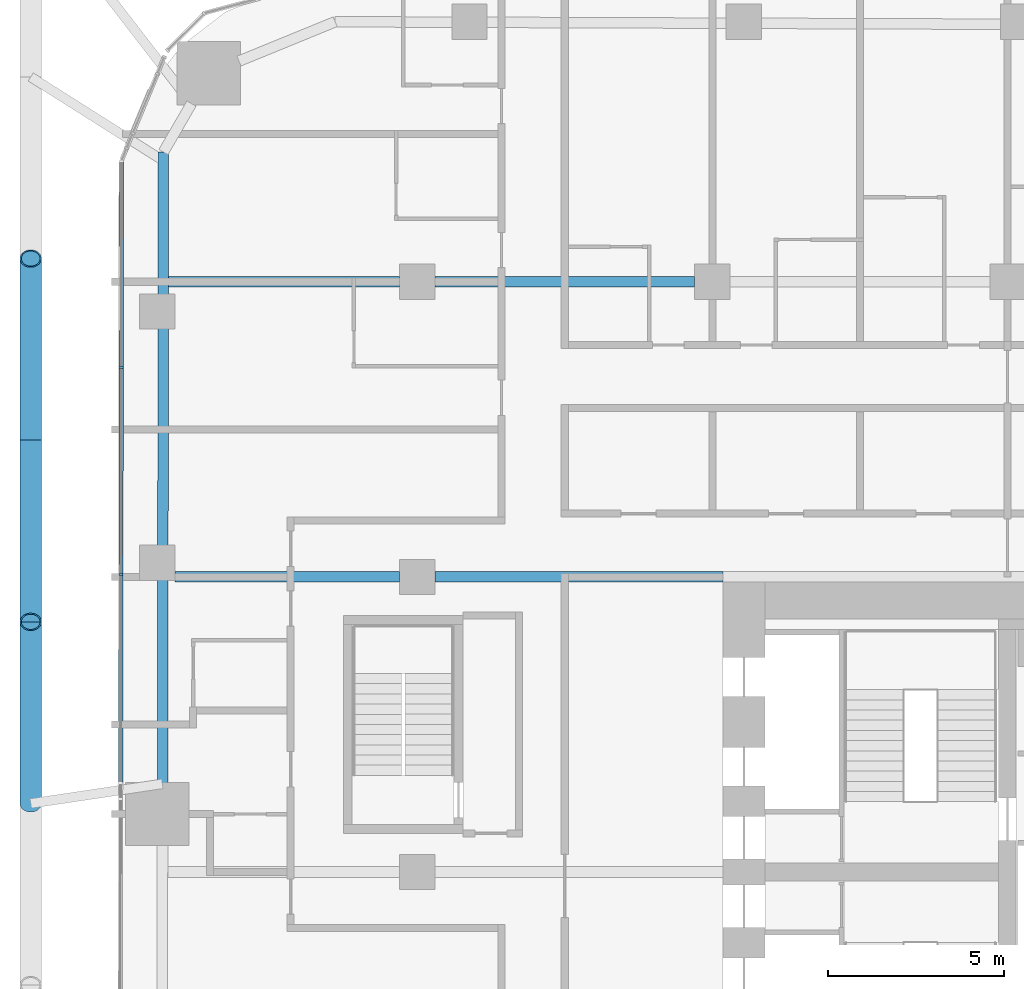
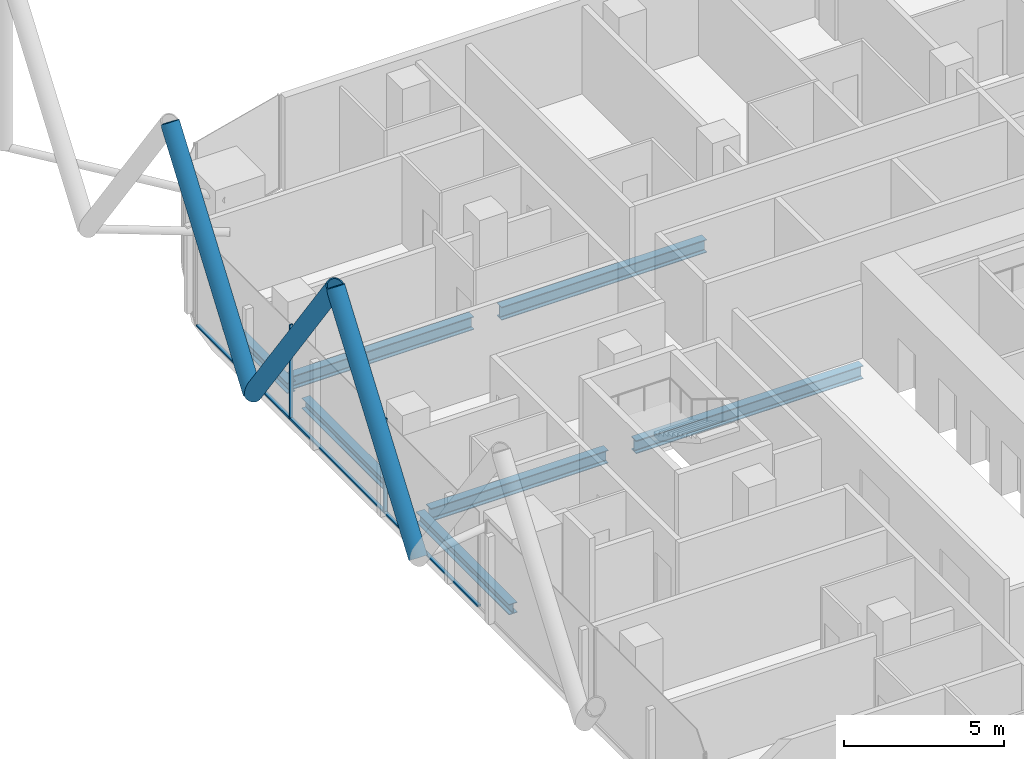
# One storey, part 9 of 38: 8 members, 7 beams, 1 element without a shape of its own.
"""IFC4 building model written with IfcOpenShell, lengths in metres."""

from ifc_helpers import new_model, si_unit, direction, frame, origin, origin_2d, place, context, subcontext, project, spatial, rectangle, hollow_circle, i_section, extrude, material, layer, layer_set, material_profile, profile_set, type_object, element, aggregate, save


model = new_model("IFC4")

# Units and contexts
model_context = context("Model", 3, precision=1e-05, world=origin(), true_north=direction((0.0, 1.0)))
body_context = subcontext(model_context, "Body", "Model", "MODEL_VIEW")
ifc_project = project(units=[si_unit("LENGTHUNIT", "METRE"), si_unit("AREAUNIT", "SQUARE_METRE"), si_unit("VOLUMEUNIT", "CUBIC_METRE"), si_unit("PLANEANGLEUNIT", "RADIAN"), si_unit("MASSUNIT", "GRAM", prefix="KILO")], contexts=[model_context])

# Site, building, storey
site_placement = place(None, origin())
site = spatial("IfcSite", under=ifc_project, at=site_placement, CompositionType="ELEMENT")
building_placement = place(site_placement, origin())
building = spatial("IfcBuilding", under=site, at=building_placement, Name="Marenta Gate Hotel Tower", CompositionType="ELEMENT")
storey_placement = place(building_placement, frame((0.0, 0.0, 54.5)))
storey = spatial("IfcBuildingStorey", under=building, at=storey_placement, Name="L11", CompositionType="ELEMENT", Elevation=54.5)

# Members
ifc_material_1 = material(Name="Steel S355J2W", Category="steel")
ifc_material_profile_1 = material_profile(ifc_material_1, hollow_circle(Radius=0.304931640625, WallThickness=0.0400390625, at=origin_2d()), Name="CHS 610x40")
ifc_profile_set_1 = profile_set([ifc_material_profile_1], Name="Steel S355J2W")
member_type_1 = type_object("IfcMemberType", Name="Diagrid diagonal Z1 CHS 610x40", PredefinedType="BRACE", material=ifc_profile_set_1)
member_1_placement = place(storey_placement, frame((-32.0, 10.349853515625, 3.139892578125), z_axis=(0.0, 0.583265964901, 0.81228124082), x_axis=(-1.0, 0.0, 0.0)))
element("IfcMember", 1, at=member_1_placement, inside=storey, type_object=member_type_1, Name="L11-DG-30", PredefinedType="BRACE", context=body_context, shape_type="SweptSolid", body=[
    extrude(hollow_circle(Radius=0.304931640625, WallThickness=0.0400390625, at=origin_2d()), origin(), (0.0, 0.0, 1.0), 8.8642578125),
])
member_2_placement = place(storey_placement, frame((-32.0, 20.68994140625, 3.139892578125), z_axis=(0.0, -0.583247791947, 0.812294289767), x_axis=(1.0, 0.0, 0.0)))
element("IfcMember", 2, at=member_2_placement, inside=storey, type_object=member_type_1, Name="L11-DG-31", PredefinedType="BRACE", context=body_context, shape_type="SweptSolid", body=[
    extrude(hollow_circle(Radius=0.304931640625, WallThickness=0.0400390625, at=origin_2d()), origin(), (0.0, 0.0, 1.0), 8.864013671875),
])
member_3_placement = place(storey_placement, frame((-32.0, 20.68994140625, 3.139892578125), z_axis=(0.0, 0.583265964901, 0.81228124082), x_axis=(-1.0, 0.0, 0.0)))
element("IfcMember", 3, at=member_3_placement, inside=storey, type_object=member_type_1, Name="L11-DG-32", PredefinedType="BRACE", context=body_context, shape_type="SweptSolid", body=[
    extrude(hollow_circle(Radius=0.304931640625, WallThickness=0.0400390625, at=origin_2d()), origin(), (0.0, 0.0, 1.0), 8.8642578125),
])

# Beams
ifc_material_2 = material(Name="Steel S355", Category="steel")
ifc_material_profile_2 = material_profile(ifc_material_2, i_section(OverallWidth=0.300048828125, OverallDepth=0.39990234375, WebThickness=0.013427734375, FlangeThickness=0.02392578125, FilletRadius=0.027099609375, at=origin_2d()), Name="HEB 400")
ifc_profile_set_2 = profile_set([ifc_material_profile_2], Name="Steel S355")
beam_type_1 = type_object("IfcBeamType", Name="Edge beam HEB 400", PredefinedType="SPANDREL", material=ifc_profile_set_2)
beam_1_placement = place(storey_placement, frame((-28.246337890625, 10.909912109375, -0.4599609375), z_axis=(0.001423009483, 0.999998987521, 0.0), x_axis=(-0.999998987521, 0.001423009483, 0.0)))
element("IfcBeam", 4, at=beam_1_placement, inside=storey, type_object=beam_type_1, Name="L11-EB-8", PredefinedType="SPANDREL", context=body_context, shape_type="SweptSolid", body=[
    extrude(i_section(OverallWidth=0.300048828125, OverallDepth=0.39990234375, WebThickness=0.013427734375, FlangeThickness=0.02392578125, FilletRadius=0.027099609375, at=origin_2d()), origin(), (0.0, 0.0, 1.0), 5.833251953125),
])
beam_2_placement = place(storey_placement, frame((-28.23681640625, 17.6630859375, -0.4599609375), z_axis=(0.001370827476, 0.999999060416, 0.0), x_axis=(-0.999999060416, 0.001370827476, 0.0)))
element("IfcBeam", 5, at=beam_2_placement, inside=storey, type_object=beam_type_1, Name="L11-EB-9", PredefinedType="SPANDREL", context=body_context, shape_type="SweptSolid", body=[
    extrude(i_section(OverallWidth=0.300048828125, OverallDepth=0.39990234375, WebThickness=0.013427734375, FlangeThickness=0.02392578125, FilletRadius=0.027099609375, at=origin_2d()), origin(), (0.0, 0.0, 1.0), 6.2333984375),
])
beam_3_placement = place(storey_placement, frame((-28.22705078125, 24.81640625, -0.4599609375), z_axis=(0.001377821732, 0.999999050803, 0.0), x_axis=(-0.999999050803, 0.001377821732, 0.0)))
element("IfcBeam", 6, at=beam_3_placement, inside=storey, type_object=beam_type_1, Name="L11-EB-10", PredefinedType="SPANDREL", context=body_context, shape_type="SweptSolid", body=[
    extrude(i_section(OverallWidth=0.300048828125, OverallDepth=0.39990234375, WebThickness=0.013427734375, FlangeThickness=0.02392578125, FilletRadius=0.027099609375, at=origin_2d()), origin(), (0.0, 0.0, 1.0), 4.075439453125),
])
ifc_material_3 = material(Name="Steel S355", Category="steel")
ifc_material_profile_3 = material_profile(ifc_material_3, i_section(OverallWidth=0.300048828125, OverallDepth=0.5, WebThickness=0.014404296875, FlangeThickness=0.028076171875, FilletRadius=0.027099609375, at=origin_2d()), Name="HEB 500")
ifc_profile_set_3 = profile_set([ifc_material_profile_3], Name="Steel S355")
beam_type_2 = type_object("IfcBeamType", Name="Girder HEB 500", PredefinedType="BEAM", material=ifc_profile_set_3)
beam_4_placement = place(storey_placement, frame((-27.89990234375, 16.800048828125, -0.510009765625), z_axis=(1.0, 0.0, 0.0), x_axis=(0.0, 1.0, 0.0)))
element("IfcBeam", 7, at=beam_4_placement, inside=storey, type_object=beam_type_2, Name="L11-GD-17", PredefinedType="BEAM", context=body_context, shape_type="SweptSolid", body=[
    extrude(i_section(OverallWidth=0.300048828125, OverallDepth=0.5, WebThickness=0.014404296875, FlangeThickness=0.028076171875, FilletRadius=0.027099609375, at=origin_2d()), origin(), (0.0, 0.0, 1.0), 6.39990234375),
])
beam_5_placement = place(storey_placement, frame((-20.5, 16.800048828125, -0.510009765625), z_axis=(1.0, 0.0, 0.0), x_axis=(0.0, 1.0, 0.0)))
element("IfcBeam", 8, at=beam_5_placement, inside=storey, type_object=beam_type_2, Name="L11-GD-18", PredefinedType="BEAM", context=body_context, shape_type="SweptSolid", body=[
    extrude(i_section(OverallWidth=0.300048828125, OverallDepth=0.5, WebThickness=0.014404296875, FlangeThickness=0.028076171875, FilletRadius=0.027099609375, at=origin_2d()), origin(), (0.0, 0.0, 1.0), 8.199951171875),
])
beam_6_placement = place(storey_placement, frame((-28.076416015625, 25.199951171875, -0.510009765625), z_axis=(1.0, 0.0, 0.0), x_axis=(0.0, 1.0, 0.0)))
element("IfcBeam", 9, at=beam_6_placement, inside=storey, type_object=beam_type_2, Name="L11-GD-22", PredefinedType="BEAM", context=body_context, shape_type="SweptSolid", body=[
    extrude(i_section(OverallWidth=0.300048828125, OverallDepth=0.5, WebThickness=0.014404296875, FlangeThickness=0.028076171875, FilletRadius=0.027099609375, at=origin_2d()), origin(), (0.0, 0.0, 1.0), 6.576416015625),
])
beam_7_placement = place(storey_placement, frame((-20.5, 25.199951171875, -0.510009765625), z_axis=(1.0, 0.0, 0.0), x_axis=(0.0, 1.0, 0.0)))
element("IfcBeam", 10, at=beam_7_placement, inside=storey, type_object=beam_type_2, Name="L11-GD-23", PredefinedType="BEAM", context=body_context, shape_type="SweptSolid", body=[
    extrude(i_section(OverallWidth=0.300048828125, OverallDepth=0.5, WebThickness=0.014404296875, FlangeThickness=0.028076171875, FilletRadius=0.027099609375, at=origin_2d()), origin(), (0.0, 0.0, 1.0), 7.39990234375),
])

# Curtain wall, members
ifc_material_4 = material(Name="Tinted insulated glass in bronze anodised frame", Category="glass")
ifc_layer = layer(ifc_material_4, 0.1201171875)
ifc_layer_set = layer_set([ifc_layer], Name="Tinted insulated glass in bronze anodised frame")
curtain_wall_type = type_object("IfcCurtainWallType", Name="Tower unitised curtain wall CW1", PredefinedType="NOTDEFINED", material=ifc_layer_set)
curtain_wall_placement = place(storey_placement, origin())
curtain_wall = element("IfcCurtainWall", 11, at=curtain_wall_placement, inside=storey, type_object=curtain_wall_type, Name="CW1 run G06", PredefinedType="NOTDEFINED")
ifc_material_5 = material(Name="Bronze anodised aluminium", Category="aluminium")
ifc_material_profile_4 = material_profile(ifc_material_5, rectangle(XDim=0.1201171875, YDim=0.06005859375, at=origin_2d()), Name="Mullion CW1 60x120 bronze anodised aluminium")
ifc_profile_set_4 = profile_set([ifc_material_profile_4], Name="Bronze anodised aluminium")
member_type_2 = type_object("IfcMemberType", Name="Mullion CW1 60x120 bronze anodised aluminium", PredefinedType="MULLION", material=ifc_profile_set_4)
member_4_placement = place(storey_placement, frame((-29.421630859375, 22.764404296875, 0.0), z_axis=(0.0, 0.0, 1.0), x_axis=(0.999998767315, -0.001570149369, 0.0)))
member_4 = element("IfcMember", 12, at=member_4_placement, type_object=member_type_2, Name="CW1 mullion 2", PredefinedType="MULLION", context=body_context, shape_type="SweptSolid", body=[
    extrude(rectangle(XDim=0.1201171875, YDim=0.06005859375, at=origin_2d()), origin(), (0.0, 0.0, 1.0), 3.60009765625),
])
member_5_placement = place(storey_placement, frame((-29.430908203125, 16.862548828125, 0.0), z_axis=(0.0, 0.0, 1.0), x_axis=(0.999998767315, -0.001570149369, 0.0)))
member_5 = element("IfcMember", 13, at=member_5_placement, type_object=member_type_2, Name="CW1 mullion 3", PredefinedType="MULLION", context=body_context, shape_type="SweptSolid", body=[
    extrude(rectangle(XDim=0.1201171875, YDim=0.06005859375, at=origin_2d()), origin(), (0.0, 0.0, 1.0), 3.60009765625),
])
ifc_material_6 = material(Name="Bronze anodised aluminium", Category="aluminium")
ifc_material_profile_5 = material_profile(ifc_material_6, rectangle(XDim=0.1201171875, YDim=0.06005859375, at=origin_2d()), Name="Transom CW1 60x120 bronze anodised aluminium")
ifc_profile_set_5 = profile_set([ifc_material_profile_5], Name="Bronze anodised aluminium")
member_type_3 = type_object("IfcMemberType", Name="Transom CW1 60x120 bronze anodised aluminium", PredefinedType="USERDEFINED", material=ifc_profile_set_5)
member_6_placement = place(storey_placement, frame((-29.412353515625, 28.606201171875, 0.030029296875), z_axis=(-0.001596301264, -0.99999872591, 0.0), x_axis=(0.99999872591, -0.001596301264, 0.0)))
member_6 = element("IfcMember", 14, at=member_6_placement, type_object=member_type_3, Name="CW1 transom 1.1", ObjectType="TRANSOM", PredefinedType="USERDEFINED", context=body_context, shape_type="SweptSolid", body=[
    extrude(rectangle(XDim=0.1201171875, YDim=0.06005859375, at=origin_2d()), origin(), (0.0, 0.0, 1.0), 5.811767578125),
])
member_7_placement = place(storey_placement, frame((-29.421630859375, 22.734375, 0.030029296875), z_axis=(-0.001588095624, -0.999998738975, 0.0), x_axis=(0.999998738975, -0.001588095624, 0.0)))
member_7 = element("IfcMember", 15, at=member_7_placement, type_object=member_type_3, Name="CW1 transom 2.1", ObjectType="TRANSOM", PredefinedType="USERDEFINED", context=body_context, shape_type="SweptSolid", body=[
    extrude(rectangle(XDim=0.1201171875, YDim=0.06005859375, at=origin_2d()), origin(), (0.0, 0.0, 1.0), 5.841796875),
])
member_8_placement = place(storey_placement, frame((-29.430908203125, 16.832763671875, 0.030029296875), z_axis=(-0.001579973913, -0.99999875184, 0.0), x_axis=(0.99999875184, -0.001579973913, 0.0)))
member_8 = element("IfcMember", 16, at=member_8_placement, type_object=member_type_3, Name="CW1 transom 3.1", ObjectType="TRANSOM", PredefinedType="USERDEFINED", context=body_context, shape_type="SweptSolid", body=[
    extrude(rectangle(XDim=0.1201171875, YDim=0.06005859375, at=origin_2d()), origin(), (0.0, 0.0, 1.0), 5.871826171875),
])
aggregate(curtain_wall, [member_4, member_5, member_6, member_7, member_8])

save(model, "model.ifc")
